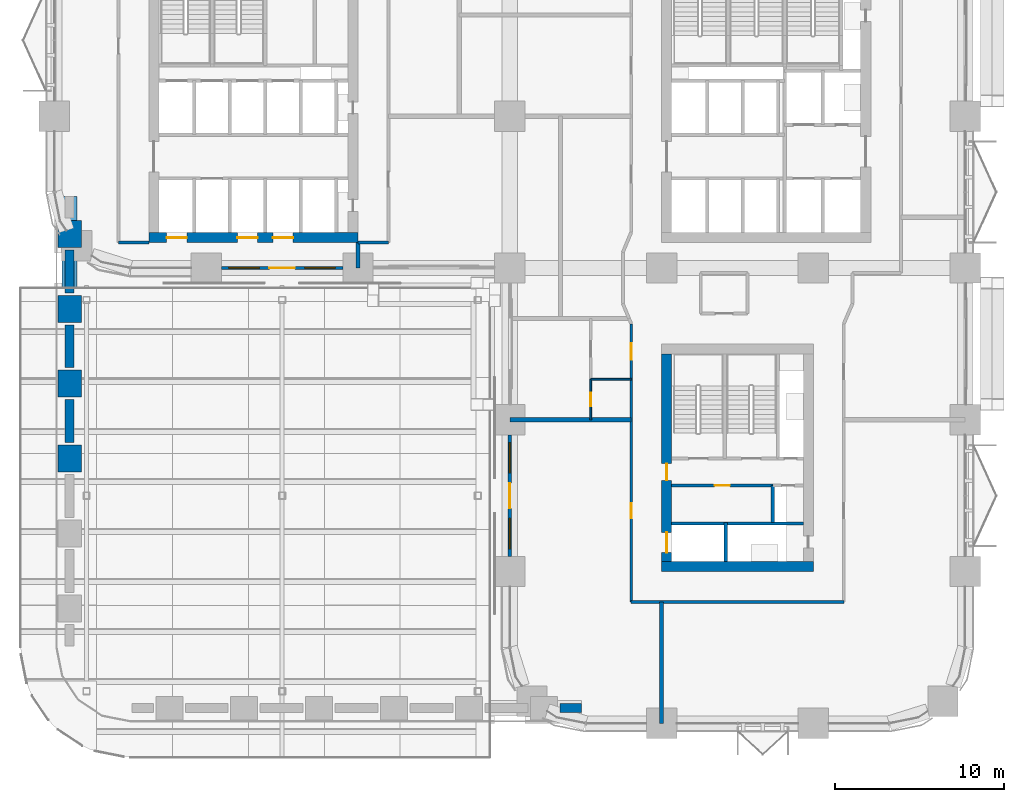
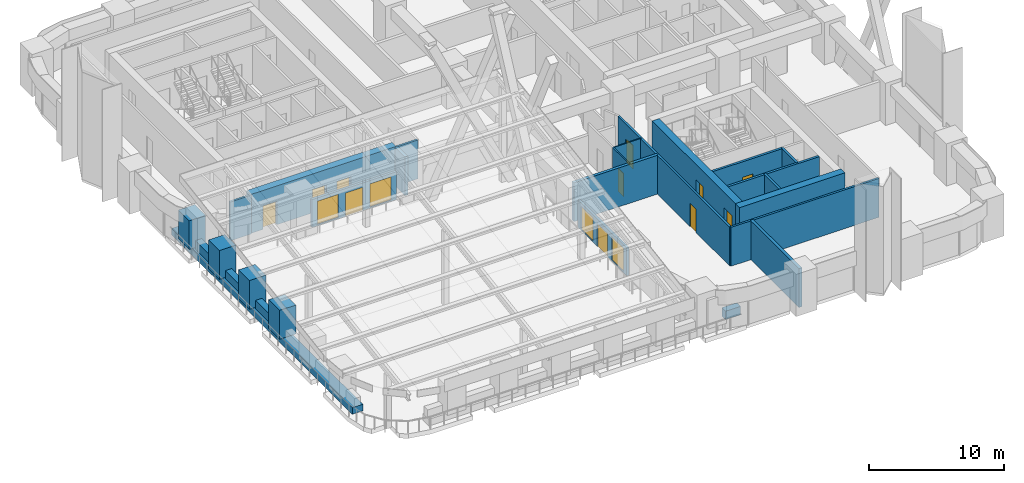
# One storey, part 13 of 22: 27 walls, 11 doors, 4 windows, 15 openings.
"""IFC4 building model written with IfcOpenShell, lengths in metres."""

from ifc_helpers import new_model, si_unit, direction, frame, frame_2d, origin, place, context, subcontext, project, spatial, rectangle, extrude, material, layer, layer_set, type_object, element, fill, save


model = new_model("IFC4")

# Units and contexts
model_context = context("Model", 3, precision=1e-05, world=origin(), true_north=direction((0.0, 1.0)))
body_context = subcontext(model_context, "Body", "Model", "MODEL_VIEW")
ifc_project = project(units=[si_unit("LENGTHUNIT", "METRE"), si_unit("AREAUNIT", "SQUARE_METRE"), si_unit("VOLUMEUNIT", "CUBIC_METRE"), si_unit("PLANEANGLEUNIT", "RADIAN"), si_unit("MASSUNIT", "GRAM", prefix="KILO")], contexts=[model_context])

# Site, building, storey
site_placement = place(None, origin())
site = spatial("IfcSite", under=ifc_project, at=site_placement, CompositionType="ELEMENT")
building_placement = place(site_placement, origin())
building = spatial("IfcBuilding", under=site, at=building_placement, Name="Tessera Arch", CompositionType="ELEMENT")
storey_placement = place(building_placement, frame((0.0, 0.0, 77.800048828125)))
storey = spatial("IfcBuildingStorey", under=building, at=storey_placement, Name="L17", CompositionType="ELEMENT", Elevation=77.800048828125)

# Wall, opening, door
ifc_material_1 = material(Name="Gypsum board on steel stud", Category="steel")
ifc_layer_1 = layer(ifc_material_1, 0.125)
ifc_layer_set_1 = layer_set([ifc_layer_1], Name="Core partition 125 EI 60")
wall_type_1 = type_object("IfcWallType", Name="Core partition 125 EI 60", PredefinedType="PARTITIONING", material=ifc_layer_set_1)
wall_1_placement = place(storey_placement, frame((36.60009765625, 14.10009765625, 0.0), z_axis=(0.0, 0.0, 1.0), x_axis=(1.0, 0.0, 0.0)))
wall_1 = element("IfcWall", 1, at=wall_1_placement, inside=storey, type_object=wall_type_1, Name="L17 C3 partition wall 8", PredefinedType="PARTITIONING", context=body_context, shape_type="SweptSolid", body=[
    extrude(rectangle(XDim=6.0, YDim=0.199951171875, at=frame_2d((3.0, 0.0))), origin(), (0.0, 0.0, 1.0), 3.5),
])
opening_1_placement = place(wall_1_placement, frame((2.550048828125, 0.0, 0.0)))
opening_1 = element("IfcOpeningElement", 2, at=opening_1_placement, cuts=wall_1, Name="Opening L17-C40", PredefinedType="OPENING", context=body_context, shape_type="SweptSolid", body=[
    extrude(rectangle(XDim=0.89990234375, YDim=2.10009765625, at=frame_2d((0.449951171875, 1.050048828125))), frame((0.0, 0.10986328125, 0.0), z_axis=(0.0, -1.0, 0.0), x_axis=(1.0, 0.0, 0.0)), (0.0, 0.0, 1.0), 0.219970703125),
])
ifc_material_2 = material(Name="Steel door leaf", Category="steel")
door_type_1 = type_object("IfcDoorType", Name="Store door FD30S 900 x 2100", OperationType="SINGLE_SWING_LEFT", PredefinedType="DOOR", material=ifc_material_2)
door_1_placement = place(opening_1_placement, origin())
door_1 = element("IfcDoor", 3, at=door_1_placement, inside=storey, type_object=door_type_1, Name="L17 C3 door 8 C40 type D09", OperationType="SINGLE_SWING_LEFT", OverallHeight=2.10009765625, OverallWidth=0.89990234375, PredefinedType="DOOR", context=body_context, shape_type="SweptSolid", body=[
    extrude(rectangle(XDim=0.89990234375, YDim=2.10009765625, at=frame_2d((0.449951171875, 1.050048828125))), frame((0.0, 0.02490234375, 0.0), z_axis=(0.0, -1.0, 0.0), x_axis=(1.0, 0.0, 0.0)), (0.0, 0.0, 1.0), 0.050048828125),
])
fill(opening_1, door_1)

# Wall, openings, doors
ifc_material_3 = material(Name="Concrete C70/85", Category="concrete")
ifc_layer_2 = layer(ifc_material_3, 0.60009765625)
ifc_layer_set_2 = layer_set([ifc_layer_2], Name="Core shell wall 600 C70-85")
wall_type_2 = type_object("IfcWallType", Name="Core shell wall 600 C70-85", PredefinedType="SHEAR", material=ifc_layer_set_2)
wall_2_placement = place(storey_placement, frame((5.60009765625, 28.800048828125, 0.0), z_axis=(0.0, 0.0, 1.0), x_axis=(1.0, 0.0, 0.0)))
wall_2 = element("IfcWall", 4, at=wall_2_placement, inside=storey, type_object=wall_type_2, Name="L17 C2 core wall S", PredefinedType="SHEAR", context=body_context, shape_type="SweptSolid", body=[
    extrude(rectangle(XDim=12.39990234375, YDim=0.60009765625, at=frame_2d((6.199951171875, 0.0))), origin(), (0.0, 0.0, 1.0), 3.5),
])
opening_2_placement = place(wall_2_placement, frame((1.050048828125, 0.0, 0.0)))
opening_2 = element("IfcOpeningElement", 5, at=opening_2_placement, cuts=wall_2, Name="Opening L17-C15", PredefinedType="OPENING", context=body_context, shape_type="SweptSolid", body=[
    extrude(rectangle(XDim=1.199951171875, YDim=2.10009765625, at=frame_2d((0.60009765625, 1.050048828125))), frame((0.0, 0.31005859375, 0.0), z_axis=(0.0, -1.0, 0.0), x_axis=(1.0, 0.0, 0.0)), (0.0, 0.0, 1.0), 0.6201171875),
])
opening_3_placement = place(wall_2_placement, frame((5.25, 0.0, 0.0)))
opening_3 = element("IfcOpeningElement", 6, at=opening_3_placement, cuts=wall_2, Name="Opening L17-C17", PredefinedType="OPENING", context=body_context, shape_type="SweptSolid", body=[
    extrude(rectangle(XDim=1.199951171875, YDim=2.10009765625, at=frame_2d((0.60009765625, 1.050048828125))), frame((0.0, 0.31005859375, 0.0), z_axis=(0.0, -1.0, 0.0), x_axis=(1.0, 0.0, 0.0)), (0.0, 0.0, 1.0), 0.6201171875),
])
opening_4_placement = place(wall_2_placement, frame((7.35009765625, 0.0, 0.0)))
opening_4 = element("IfcOpeningElement", 7, at=opening_4_placement, cuts=wall_2, Name="Opening L17-C18", PredefinedType="OPENING", context=body_context, shape_type="SweptSolid", body=[
    extrude(rectangle(XDim=1.199951171875, YDim=2.10009765625, at=frame_2d((0.60009765625, 1.050048828125))), frame((0.0, 0.31005859375, 0.0), z_axis=(0.0, -1.0, 0.0), x_axis=(1.0, 0.0, 0.0)), (0.0, 0.0, 1.0), 0.6201171875),
])
ifc_material_4 = material(Name="Stainless steel AISI 304", Category="steel")
door_type_2 = type_object("IfcDoorType", Name="Sliding landing door 1200 x 2100", OperationType="SLIDING_TO_LEFT", PredefinedType="DOOR", material=ifc_material_4)
door_2_placement = place(opening_2_placement, origin())
door_2 = element("IfcDoor", 8, at=door_2_placement, inside=storey, type_object=door_type_2, Name="L17 LR1 lift landing door C15 type LD", OperationType="SLIDING_TO_LEFT", OverallHeight=2.10009765625, OverallWidth=1.199951171875, PredefinedType="DOOR", context=body_context, shape_type="SweptSolid", body=[
    extrude(rectangle(XDim=1.199951171875, YDim=2.10009765625, at=frame_2d((0.60009765625, 1.050048828125))), frame((0.0, 0.02490234375, 0.0), z_axis=(0.0, -1.0, 0.0), x_axis=(1.0, 0.0, 0.0)), (0.0, 0.0, 1.0), 0.050048828125),
])
fill(opening_2, door_2)
door_3_placement = place(opening_3_placement, origin())
door_3 = element("IfcDoor", 9, at=door_3_placement, inside=storey, type_object=door_type_2, Name="L17 LR3 lift landing door C17 type LD", OperationType="SLIDING_TO_LEFT", OverallHeight=2.10009765625, OverallWidth=1.199951171875, PredefinedType="DOOR", context=body_context, shape_type="SweptSolid", body=[
    extrude(rectangle(XDim=1.199951171875, YDim=2.10009765625, at=frame_2d((0.60009765625, 1.050048828125))), frame((0.0, 0.02490234375, 0.0), z_axis=(0.0, -1.0, 0.0), x_axis=(1.0, 0.0, 0.0)), (0.0, 0.0, 1.0), 0.050048828125),
])
fill(opening_3, door_3)
door_4_placement = place(opening_4_placement, origin())
door_4 = element("IfcDoor", 10, at=door_4_placement, inside=storey, type_object=door_type_2, Name="L17 LR4 lift landing door C18 type LD", OperationType="SLIDING_TO_LEFT", OverallHeight=2.10009765625, OverallWidth=1.199951171875, PredefinedType="DOOR", context=body_context, shape_type="SweptSolid", body=[
    extrude(rectangle(XDim=1.199951171875, YDim=2.10009765625, at=frame_2d((0.60009765625, 1.050048828125))), frame((0.0, 0.02490234375, 0.0), z_axis=(0.0, -1.0, 0.0), x_axis=(1.0, 0.0, 0.0)), (0.0, 0.0, 1.0), 0.050048828125),
])
fill(opening_4, door_4)

# Wall
wall_3_placement = place(storey_placement, frame((36.0, 9.300048828125, 0.0), z_axis=(0.0, 0.0, 1.0), x_axis=(1.0, 0.0, 0.0)))
element("IfcWall", 11, at=wall_3_placement, inside=storey, type_object=wall_type_2, Name="L17 C3 core wall S", PredefinedType="SHEAR", context=body_context, shape_type="SweptSolid", body=[
    extrude(rectangle(XDim=9.0, YDim=0.60009765625, at=frame_2d((4.5, 0.0))), origin(), (0.0, 0.0, 1.0), 3.5),
])

# Wall, openings, doors
wall_4_placement = place(storey_placement, frame((36.300048828125, 9.60009765625, 0.0), z_axis=(0.0, 0.0, 1.0), x_axis=(0.0, 1.0, 0.0)))
wall_4 = element("IfcWall", 12, at=wall_4_placement, inside=storey, type_object=wall_type_2, Name="L17 C3 core wall W", PredefinedType="SHEAR", context=body_context, shape_type="SweptSolid", body=[
    extrude(rectangle(XDim=12.2998046875, YDim=0.60009765625, at=frame_2d((6.14990234375, 0.0))), origin(), (0.0, 0.0, 1.0), 3.5),
])
opening_5_placement = place(wall_4_placement, frame((0.52490234375, 0.0, 0.0)))
opening_5 = element("IfcOpeningElement", 13, at=opening_5_placement, cuts=wall_4, Name="Opening L17-C33", PredefinedType="OPENING", context=body_context, shape_type="SweptSolid", body=[
    extrude(rectangle(XDim=1.199951171875, YDim=2.10009765625, at=frame_2d((0.60009765625, 1.050048828125))), frame((0.0, 0.31005859375, 0.0), z_axis=(0.0, -1.0, 0.0), x_axis=(1.0, 0.0, 0.0)), (0.0, 0.0, 1.0), 0.6201171875),
])
opening_6_placement = place(wall_4_placement, frame((4.800048828125, 0.0, 0.0)))
opening_6 = element("IfcOpeningElement", 14, at=opening_6_placement, cuts=wall_4, Name="Opening L17-C39", PredefinedType="OPENING", context=body_context, shape_type="SweptSolid", body=[
    extrude(rectangle(XDim=1.0, YDim=2.10009765625, at=frame_2d((0.5, 1.050048828125))), frame((0.0, 0.31005859375, 0.0), z_axis=(0.0, -1.0, 0.0), x_axis=(1.0, 0.0, 0.0)), (0.0, 0.0, 1.0), 0.6201171875),
])
ifc_material_5 = material(Name="Steel door leaf", Category="steel")
door_type_3 = type_object("IfcDoorType", Name="Corridor door FD60 1000 x 2100", OperationType="SINGLE_SWING_LEFT", PredefinedType="DOOR", material=ifc_material_5)
door_5_placement = place(opening_6_placement, origin())
door_5 = element("IfcDoor", 15, at=door_5_placement, inside=storey, type_object=door_type_3, Name="L17 C3 door 7 C39 type D12", OperationType="SINGLE_SWING_LEFT", OverallHeight=2.10009765625, OverallWidth=1.0, PredefinedType="DOOR", context=body_context, shape_type="SweptSolid", body=[
    extrude(rectangle(XDim=1.0, YDim=2.10009765625, at=frame_2d((0.5, 1.050048828125))), frame((0.0, 0.02490234375, 0.0), z_axis=(0.0, -1.0, 0.0), x_axis=(1.0, 0.0, 0.0)), (0.0, 0.0, 1.0), 0.050048828125),
])
fill(opening_6, door_5)
door_6_placement = place(opening_5_placement, origin())
door_6 = element("IfcDoor", 16, at=door_6_placement, inside=storey, type_object=door_type_2, Name="L17 SV1 lift landing door C33 type LD", OperationType="SLIDING_TO_LEFT", OverallHeight=2.10009765625, OverallWidth=1.199951171875, PredefinedType="DOOR", context=body_context, shape_type="SweptSolid", body=[
    extrude(rectangle(XDim=1.199951171875, YDim=2.10009765625, at=frame_2d((0.60009765625, 1.050048828125))), frame((0.0, 0.02490234375, 0.0), z_axis=(0.0, -1.0, 0.0), x_axis=(1.0, 0.0, 0.0)), (0.0, 0.0, 1.0), 0.050048828125),
])
fill(opening_5, door_6)

# Walls
ifc_material_6 = material(Name="Gypsum board on deep steel stud with mineral wool", Category="steel")
ifc_layer_3 = layer(ifc_material_6, 0.175048828125)
ifc_layer_set_3 = layer_set([ifc_layer_3], Name="Corridor wall 175 EI 60")
wall_type_3 = type_object("IfcWallType", Name="Corridor wall 175 EI 60", PredefinedType="PARTITIONING", material=ifc_layer_set_3)
wall_5_placement = place(storey_placement, frame((34.199951171875, 7.199951171875, 0.0), z_axis=(0.0, 0.0, 1.0), x_axis=(1.0, 0.0, 0.0)))
element("IfcWall", 17, at=wall_5_placement, inside=storey, type_object=wall_type_3, Name="L17 partition 1", PredefinedType="PARTITIONING", context=body_context, shape_type="SweptSolid", body=[
    extrude(rectangle(XDim=12.60009765625, YDim=0.175048828125, at=frame_2d((6.300048828125, 0.0))), origin(), (0.0, 0.0, 1.0), 3.5),
])
for number, where, z_axis, x_axis, name in (
    (18, (3.800048828125, 28.5, 0.0), (0.0, 0.0, 1.0), (1.0, 0.0, 0.0), "L17 partition 5"),
    (19, (18.0, 28.5, 0.0), (0.0, 0.0, 1.0), (1.0, 0.0, 0.0), "L17 partition 6"),
):
    element("IfcWall", number, at=place(storey_placement, frame(where, z_axis=z_axis, x_axis=x_axis)), inside=storey, type_object=wall_type_3, Name=name, PredefinedType="PARTITIONING", context=body_context, shape_type="SweptSolid", body=[
        extrude(rectangle(XDim=1.800048828125, YDim=0.175048828125, at=frame_2d((0.89990234375, 0.0))), origin(), (0.0, 0.0, 1.0), 3.5),
    ])

# Wall, openings, doors
wall_6_placement = place(storey_placement, frame((34.199951171875, 7.199951171875, 0.0), z_axis=(0.0, 0.0, 1.0), x_axis=(0.0, 1.0, 0.0)))
wall_6 = element("IfcWall", 20, at=wall_6_placement, inside=storey, type_object=wall_type_3, Name="L17 partition 12", PredefinedType="PARTITIONING", context=body_context, shape_type="SweptSolid", body=[
    extrude(rectangle(XDim=16.489990234375, YDim=0.175048828125, at=frame_2d((8.2451171875, 0.0))), origin(), (0.0, 0.0, 1.0), 3.5),
])
opening_7_placement = place(wall_6_placement, frame((4.949951171875, 0.0, 0.0)))
opening_7 = element("IfcOpeningElement", 21, at=opening_7_placement, cuts=wall_6, Name="Opening L17-D002", PredefinedType="OPENING", context=body_context, shape_type="SweptSolid", body=[
    extrude(rectangle(XDim=0.89990234375, YDim=2.10009765625, at=frame_2d((0.449951171875, 1.050048828125))), frame((0.0, 0.097412109375, 0.0), z_axis=(0.0, -1.0, 0.0), x_axis=(1.0, 0.0, 0.0)), (0.0, 0.0, 1.0), 0.195068359375),
])
opening_8_placement = place(wall_6_placement, frame((14.344970703125, 0.0, 0.0)))
opening_8 = element("IfcOpeningElement", 22, at=opening_8_placement, cuts=wall_6, Name="Opening L17-D003", PredefinedType="OPENING", context=body_context, shape_type="SweptSolid", body=[
    extrude(rectangle(XDim=1.0, YDim=2.10009765625, at=frame_2d((0.5, 1.050048828125))), frame((0.0, 0.097412109375, 0.0), z_axis=(0.0, -1.0, 0.0), x_axis=(1.0, 0.0, 0.0)), (0.0, 0.0, 1.0), 0.195068359375),
])
ifc_material_7 = material(Name="Fire-rated door leaf")
door_type_4 = type_object("IfcDoorType", Name="Entrance door FD30S 1000 x 2100", OperationType="SINGLE_SWING_LEFT", PredefinedType="DOOR", material=ifc_material_7)
door_7_placement = place(opening_8_placement, origin())
door_7 = element("IfcDoor", 23, at=door_7_placement, inside=storey, type_object=door_type_4, Name="L17 door D003 type D03", OperationType="SINGLE_SWING_LEFT", OverallHeight=2.10009765625, OverallWidth=1.0, PredefinedType="DOOR", context=body_context, shape_type="SweptSolid", body=[
    extrude(rectangle(XDim=1.0, YDim=2.10009765625, at=frame_2d((0.5, 1.050048828125))), frame((0.0, 0.02490234375, 0.0), z_axis=(0.0, -1.0, 0.0), x_axis=(1.0, 0.0, 0.0)), (0.0, 0.0, 1.0), 0.050048828125),
])
fill(opening_8, door_7)
ifc_material_8 = material(Name="Timber door leaf", Category="wood")
door_type_5 = type_object("IfcDoorType", Name="Room door 900 x 2100", OperationType="SINGLE_SWING_LEFT", PredefinedType="DOOR", material=ifc_material_8)
door_8_placement = place(opening_7_placement, origin())
door_8 = element("IfcDoor", 24, at=door_8_placement, inside=storey, type_object=door_type_5, Name="L17 door D002 type D01", OperationType="SINGLE_SWING_RIGHT", OverallHeight=2.10009765625, OverallWidth=0.89990234375, PredefinedType="DOOR", context=body_context, shape_type="SweptSolid", body=[
    extrude(rectangle(XDim=0.89990234375, YDim=2.10009765625, at=frame_2d((0.449951171875, 1.050048828125))), frame((0.0, 0.02490234375, 0.0), z_axis=(0.0, -1.0, 0.0), x_axis=(1.0, 0.0, 0.0)), (0.0, 0.0, 1.0), 0.050048828125),
])
fill(opening_7, door_8)

# Wall, openings, windows, door
ifc_material_9 = material(Name="Aluminium cladding pale metal anodised", Category="aluminium")
ifc_layer_4 = layer(ifc_material_9, 0.199951171875)
ifc_layer_set_4 = layer_set([ifc_layer_4], Name="Envelope wall pale metal")
wall_type_4 = type_object("IfcWallType", Name="Envelope wall pale metal", PredefinedType="SOLIDWALL", material=ifc_layer_set_4)
wall_7_placement = place(storey_placement, frame((9.89990234375, 27.0, 0.0), z_axis=(0.0, 0.0, 1.0), x_axis=(1.0, 0.0, 0.0)))
wall_7 = element("IfcWall", 25, at=wall_7_placement, inside=storey, type_object=wall_type_4, Name="Door bay wall S27.0/1 L17", PredefinedType="SOLIDWALL", context=body_context, shape_type="SweptSolid", body=[
    extrude(rectangle(XDim=7.2001953125, YDim=0.199951171875, at=frame_2d((3.60009765625, 0.0))), origin(), (0.0, 0.0, 1.0), 2.5),
])
opening_9_placement = place(wall_7_placement, frame((2.85009765625, 0.0, 0.0)))
opening_9 = element("IfcOpeningElement", 26, at=opening_9_placement, cuts=wall_7, Name="Opening L17-X01", PredefinedType="OPENING", context=body_context, shape_type="SweptSolid", body=[
    extrude(rectangle(XDim=1.5, YDim=2.10009765625, at=frame_2d((0.75, 1.050048828125))), frame((0.0, 0.10986328125, 0.0), z_axis=(0.0, -1.0, 0.0), x_axis=(1.0, 0.0, 0.0)), (0.0, 0.0, 1.0), 0.219970703125),
])
opening_10_placement = place(wall_7_placement, frame((0.449951171875, 0.0, 0.10009765625)))
opening_10 = element("IfcOpeningElement", 27, at=opening_10_placement, cuts=wall_7, Name="Opening L17-SL09", PredefinedType="OPENING", context=body_context, shape_type="SweptSolid", body=[
    extrude(rectangle(XDim=1.800048828125, YDim=2.10009765625, at=frame_2d((0.89990234375, 1.050048828125))), frame((0.0, 0.10986328125, 0.0), z_axis=(0.0, -1.0, 0.0), x_axis=(1.0, 0.0, 0.0)), (0.0, 0.0, 1.0), 0.219970703125),
])
opening_11_placement = place(wall_7_placement, frame((4.949951171875, 0.0, 0.10009765625)))
opening_11 = element("IfcOpeningElement", 28, at=opening_11_placement, cuts=wall_7, Name="Opening L17-SL10", PredefinedType="OPENING", context=body_context, shape_type="SweptSolid", body=[
    extrude(rectangle(XDim=1.800048828125, YDim=2.10009765625, at=frame_2d((0.89990234375, 1.050048828125))), frame((0.0, 0.10986328125, 0.0), z_axis=(0.0, -1.0, 0.0), x_axis=(1.0, 0.0, 0.0)), (0.0, 0.0, 1.0), 0.219970703125),
])
ifc_material_10 = material(Name="Clear low-e glass in aluminium frame", Category="aluminium")
window_type = type_object("IfcWindowType", Name="Sidelight fixed clear glass", PartitioningType="SINGLE_PANEL", PredefinedType="WINDOW", material=ifc_material_10)
window_1_placement = place(opening_10_placement, origin())
window_1 = element("IfcWindow", 29, at=window_1_placement, inside=storey, type_object=window_type, Name="Sidelight L17-X-S27.0/1-1", OverallHeight=2.10009765625, OverallWidth=1.800048828125, PartitioningType="SINGLE_PANEL", PredefinedType="WINDOW", context=body_context, shape_type="SweptSolid", body=[
    extrude(rectangle(XDim=1.800048828125, YDim=2.10009765625, at=frame_2d((0.89990234375, 1.050048828125))), frame((0.0, 0.030029296875, 0.0), z_axis=(0.0, -1.0, 0.0), x_axis=(1.0, 0.0, 0.0)), (0.0, 0.0, 1.0), 0.06005859375),
])
fill(opening_10, window_1)
window_2_placement = place(opening_11_placement, origin())
window_2 = element("IfcWindow", 30, at=window_2_placement, inside=storey, type_object=window_type, Name="Sidelight L17-X-S27.0/1-1", OverallHeight=2.10009765625, OverallWidth=1.800048828125, PartitioningType="SINGLE_PANEL", PredefinedType="WINDOW", context=body_context, shape_type="SweptSolid", body=[
    extrude(rectangle(XDim=1.800048828125, YDim=2.10009765625, at=frame_2d((0.89990234375, 1.050048828125))), frame((0.0, 0.030029296875, 0.0), z_axis=(0.0, -1.0, 0.0), x_axis=(1.0, 0.0, 0.0)), (0.0, 0.0, 1.0), 0.06005859375),
])
fill(opening_11, window_2)
ifc_material_11 = material(Name="Aluminium frame and clear glass", Category="aluminium")
door_type_6 = type_object("IfcDoorType", Name="Terrace door glazed double leaf", OperationType="DOUBLE_DOOR_SINGLE_SWING", PredefinedType="DOOR", material=ifc_material_11)
door_9_placement = place(opening_9_placement, origin())
door_9 = element("IfcDoor", 31, at=door_9_placement, inside=storey, type_object=door_type_6, Name="Door L17-X-S27.0/1-1 X01", OperationType="DOUBLE_DOOR_SINGLE_SWING", OverallHeight=2.10009765625, OverallWidth=1.5, PredefinedType="DOOR", context=body_context, shape_type="SweptSolid", body=[
    extrude(rectangle(XDim=1.5, YDim=2.10009765625, at=frame_2d((0.75, 1.050048828125))), frame((0.0, 0.02490234375, 0.0), z_axis=(0.0, -1.0, 0.0), x_axis=(1.0, 0.0, 0.0)), (0.0, 0.0, 1.0), 0.050048828125),
])
fill(opening_9, door_9)

wall_8_placement = place(storey_placement, frame((27.0, 17.10009765625, 0.0), z_axis=(0.0, 0.0, 1.0), x_axis=(0.0, -1.0, 0.0)))
wall_8 = element("IfcWall", 32, at=wall_8_placement, inside=storey, type_object=wall_type_4, Name="Door bay wall W27.0/1 L17", PredefinedType="SOLIDWALL", context=body_context, shape_type="SweptSolid", body=[
    extrude(rectangle(XDim=7.2001953125, YDim=0.199951171875, at=frame_2d((3.60009765625, 0.0))), origin(), (0.0, 0.0, 1.0), 2.5),
])
opening_12_placement = place(wall_8_placement, frame((2.85009765625, 0.0, 0.0)))
opening_12 = element("IfcOpeningElement", 33, at=opening_12_placement, cuts=wall_8, Name="Opening L17-X02", PredefinedType="OPENING", context=body_context, shape_type="SweptSolid", body=[
    extrude(rectangle(XDim=1.5, YDim=2.10009765625, at=frame_2d((0.75, 1.050048828125))), frame((0.0, 0.10986328125, 0.0), z_axis=(0.0, -1.0, 0.0), x_axis=(1.0, 0.0, 0.0)), (0.0, 0.0, 1.0), 0.219970703125),
])
opening_13_placement = place(wall_8_placement, frame((0.449951171875, 0.0, 0.10009765625)))
opening_13 = element("IfcOpeningElement", 34, at=opening_13_placement, cuts=wall_8, Name="Opening L17-SL11", PredefinedType="OPENING", context=body_context, shape_type="SweptSolid", body=[
    extrude(rectangle(XDim=1.800048828125, YDim=2.10009765625, at=frame_2d((0.89990234375, 1.050048828125))), frame((0.0, 0.10986328125, 0.0), z_axis=(0.0, -1.0, 0.0), x_axis=(1.0, 0.0, 0.0)), (0.0, 0.0, 1.0), 0.219970703125),
])
opening_14_placement = place(wall_8_placement, frame((4.949951171875, 0.0, 0.10009765625)))
opening_14 = element("IfcOpeningElement", 35, at=opening_14_placement, cuts=wall_8, Name="Opening L17-SL12", PredefinedType="OPENING", context=body_context, shape_type="SweptSolid", body=[
    extrude(rectangle(XDim=1.800048828125, YDim=2.10009765625, at=frame_2d((0.89990234375, 1.050048828125))), frame((0.0, 0.10986328125, 0.0), z_axis=(0.0, -1.0, 0.0), x_axis=(1.0, 0.0, 0.0)), (0.0, 0.0, 1.0), 0.219970703125),
])
window_3_placement = place(opening_13_placement, origin())
window_3 = element("IfcWindow", 36, at=window_3_placement, inside=storey, type_object=window_type, Name="Sidelight L17-X-W27.0/1-1", OverallHeight=2.10009765625, OverallWidth=1.800048828125, PartitioningType="SINGLE_PANEL", PredefinedType="WINDOW", context=body_context, shape_type="SweptSolid", body=[
    extrude(rectangle(XDim=1.800048828125, YDim=2.10009765625, at=frame_2d((0.89990234375, 1.050048828125))), frame((0.0, 0.030029296875, 0.0), z_axis=(0.0, -1.0, 0.0), x_axis=(1.0, 0.0, 0.0)), (0.0, 0.0, 1.0), 0.06005859375),
])
fill(opening_13, window_3)
window_4_placement = place(opening_14_placement, origin())
window_4 = element("IfcWindow", 37, at=window_4_placement, inside=storey, type_object=window_type, Name="Sidelight L17-X-W27.0/1-1", OverallHeight=2.10009765625, OverallWidth=1.800048828125, PartitioningType="SINGLE_PANEL", PredefinedType="WINDOW", context=body_context, shape_type="SweptSolid", body=[
    extrude(rectangle(XDim=1.800048828125, YDim=2.10009765625, at=frame_2d((0.89990234375, 1.050048828125))), frame((0.0, 0.030029296875, 0.0), z_axis=(0.0, -1.0, 0.0), x_axis=(1.0, 0.0, 0.0)), (0.0, 0.0, 1.0), 0.06005859375),
])
fill(opening_14, window_4)
door_10_placement = place(opening_12_placement, origin())
door_10 = element("IfcDoor", 38, at=door_10_placement, inside=storey, type_object=door_type_6, Name="Door L17-X-W27.0/1-1 X02", OperationType="DOUBLE_DOOR_SINGLE_SWING", OverallHeight=2.10009765625, OverallWidth=1.5, PredefinedType="DOOR", context=body_context, shape_type="SweptSolid", body=[
    extrude(rectangle(XDim=1.5, YDim=2.10009765625, at=frame_2d((0.75, 1.050048828125))), frame((0.0, 0.02490234375, 0.0), z_axis=(0.0, -1.0, 0.0), x_axis=(1.0, 0.0, 0.0)), (0.0, 0.0, 1.0), 0.050048828125),
])
fill(opening_12, door_10)

# Walls
ifc_material_12 = material(Name="Double gypsum board on twin steel stud with acoustic mineral wool", Category="steel")
ifc_layer_5 = layer(ifc_material_12, 0.25)
ifc_layer_set_5 = layer_set([ifc_layer_5], Name="Party wall 250 EI 60")
wall_type_5 = type_object("IfcWallType", Name="Party wall 250 EI 60", PredefinedType="PARTITIONING", material=ifc_layer_set_5)
wall_9_placement = place(storey_placement, frame((27.0, 18.0, 0.0), z_axis=(0.0, 0.0, 1.0), x_axis=(1.0, 0.0, 0.0)))
element("IfcWall", 39, at=wall_9_placement, inside=storey, type_object=wall_type_5, Name="L17 partition 20", PredefinedType="PARTITIONING", context=body_context, shape_type="SweptSolid", body=[
    extrude(rectangle(XDim=7.199951171875, YDim=0.25, at=frame_2d((3.60009765625, 0.0))), origin(), (0.0, 0.0, 1.0), 3.5),
])
wall_10_placement = place(storey_placement, frame((18.0, 27.0, 0.0), z_axis=(0.0, 0.0, 1.0), x_axis=(0.0, 1.0, 0.0)))
element("IfcWall", 40, at=wall_10_placement, inside=storey, type_object=wall_type_5, Name="L17 partition 27", PredefinedType="PARTITIONING", context=body_context, shape_type="SweptSolid", body=[
    extrude(rectangle(XDim=1.5, YDim=0.25, at=frame_2d((0.75, 0.0))), origin(), (0.0, 0.0, 1.0), 3.5),
])
wall_11_placement = place(storey_placement, frame((36.0, 0.0, 0.0), z_axis=(0.0, 0.0, 1.0), x_axis=(0.0, 1.0, 0.0)))
element("IfcWall", 41, at=wall_11_placement, inside=storey, type_object=wall_type_5, Name="L17 partition 31", PredefinedType="PARTITIONING", context=body_context, shape_type="SweptSolid", body=[
    extrude(rectangle(XDim=7.199951171875, YDim=0.25, at=frame_2d((3.60009765625, 0.0))), origin(), (0.0, 0.0, 1.0), 3.5),
])
ifc_material_13 = material(Name="Precast concrete C40/50", Category="concrete")
ifc_layer_6 = layer(ifc_material_13, 1.39990234375)
ifc_layer_set_6 = layer_set([ifc_layer_6], Name="Planter bed 1400 wide")
wall_type_6 = type_object("IfcWallType", Name="Planter bed 1400 wide", PredefinedType="SOLIDWALL", material=ifc_layer_set_6)
for number, where, z_axis, x_axis, name in (
    (42, (0.900146484375, 14.89453125, 0.599853515625), (0.0, 0.0, 1.0), (0.0, 1.0, 0.0), "Tree planting on bed terrace bed 1-2 3"),
    (43, (0.900146484375, 19.337158203125, 0.599853515625), (0.0, 0.0, 1.0), (0.0, 1.0, 0.0), "Tree planting on bed terrace bed 1-2 4"),
    (44, (0.900146484375, 23.77978515625, 0.599853515625), (0.0, 0.0, 1.0), (-0.00015260186, 0.999999988356, 0.0), "Tree planting on bed terrace bed 1-2 5"),
):
    element("IfcWall", number, at=place(storey_placement, frame(where, z_axis=z_axis, x_axis=x_axis)), inside=storey, type_object=wall_type_6, Name=name, PredefinedType="SOLIDWALL", context=body_context, shape_type="SweptSolid", body=[
        extrude(rectangle(XDim=1.599853515625, YDim=1.39990234375, at=frame_2d((0.7998046875, 0.0))), origin(), (0.0, 0.0, 1.0), 2.60009765625),
    ])
wall_12_placement = place(storey_placement, frame((0.89990234375, 28.222412109375, 0.599853515625), z_axis=(0.0, 0.0, 1.0), x_axis=(0.0, 1.0, 0.0)))
element("IfcWall", 45, at=wall_12_placement, inside=storey, type_object=wall_type_6, Name="Tree planting on bed terrace bed 1-2 6", PredefinedType="SOLIDWALL", context=body_context, shape_type="SweptSolid", body=[
    extrude(rectangle(XDim=1.60009765625, YDim=1.39990234375, at=frame_2d((0.800048828125, 0.0))), origin(), (0.0, 0.0, 1.0), 2.60009765625),
])
ifc_material_14 = material(Name="Precast concrete C40/50", Category="concrete")
ifc_layer_7 = layer(ifc_material_14, 0.5400390625)
ifc_layer_set_7 = layer_set([ifc_layer_7], Name="Planter bed 540 wide")
wall_type_7 = type_object("IfcWallType", Name="Planter bed 540 wide", PredefinedType="SOLIDWALL", material=ifc_layer_set_7)
wall_13_placement = place(storey_placement, frame((31.24365234375, 0.89990234375, 0.599853515625), z_axis=(0.0, 0.0, 1.0), x_axis=(-1.0, 0.0, 0.0)))
element("IfcWall", 46, at=wall_13_placement, inside=storey, type_object=wall_type_7, Name="PLANTER shrub mass on terrace bed 1-1 1", PredefinedType="SOLIDWALL", context=body_context, shape_type="SweptSolid", body=[
    extrude(rectangle(XDim=1.271240234375, YDim=0.5400390625, at=frame_2d((0.6357421875, 0.0))), origin(), (0.0, 0.0, 1.0), 0.75),
])
wall_14_placement = place(storey_placement, frame((0.900146484375, 16.64453125, 0.599853515625), z_axis=(0.0, 0.0, 1.0), x_axis=(0.0, 1.0, 0.0)))
element("IfcWall", 47, at=wall_14_placement, inside=storey, type_object=wall_type_7, Name="PLANTER shrub mass on terrace bed 1-2 4", PredefinedType="SOLIDWALL", context=body_context, shape_type="SweptSolid", body=[
    extrude(rectangle(XDim=2.54248046875, YDim=0.5400390625, at=frame_2d((1.271240234375, 0.0))), origin(), (0.0, 0.0, 1.0), 0.75),
])
for number, where, z_axis, x_axis, name in (
    (48, (0.900146484375, 21.087158203125, 0.599853515625), (0.0, 0.0, 1.0), (0.0, 1.0, 0.0), "PLANTER shrub mass on terrace bed 1-2 5"),
    (49, (0.89990234375, 25.52978515625, 0.599853515625), (0.0, 0.0, 1.0), (0.0, 1.0, 0.0), "PLANTER shrub mass on terrace bed 1-2 6"),
):
    element("IfcWall", number, at=place(storey_placement, frame(where, z_axis=z_axis, x_axis=x_axis)), inside=storey, type_object=wall_type_7, Name=name, PredefinedType="SOLIDWALL", context=body_context, shape_type="SweptSolid", body=[
        extrude(rectangle(XDim=2.542724609375, YDim=0.5400390625, at=frame_2d((1.271484375, 0.0))), origin(), (0.0, 0.0, 1.0), 0.75),
    ])
ifc_material_15 = material(Name="Precast concrete C40/50", Category="concrete")
ifc_layer_8 = layer(ifc_material_15, 0.89990234375)
ifc_layer_set_8 = layer_set([ifc_layer_8], Name="Planter bed 900 wide")
wall_type_8 = type_object("IfcWallType", Name="Planter bed 900 wide", PredefinedType="SOLIDWALL", material=ifc_layer_set_8)
wall_15_placement = place(storey_placement, frame((0.900146484375, 4.587890625, 0.0), z_axis=(0.0, 0.0, 1.0), x_axis=(-9.159019e-06, 0.999999999958, 0.0)))
element("IfcWall", 50, at=wall_15_placement, inside=storey, type_object=wall_type_8, Name="PLANTER terrace bed 1-2", PredefinedType="SOLIDWALL", context=body_context, shape_type="SweptSolid", body=[
    extrude(rectangle(XDim=26.65576171875, YDim=0.89990234375, at=frame_2d((13.327880859375, 0.0))), origin(), (0.0, 0.0, 1.0), 0.599853515625),
])
ifc_material_16 = material(Name="Concrete C40/50", Category="concrete")
ifc_layer_9 = layer(ifc_material_16, 0.199951171875)
ifc_layer_set_9 = layer_set([ifc_layer_9], Name="Shaft wall 200 EI 120")
wall_type_9 = type_object("IfcWallType", Name="Shaft wall 200 EI 120", PredefinedType="SOLIDWALL", material=ifc_layer_set_9)
wall_16_placement = place(storey_placement, frame((39.800048828125, 9.60009765625, 0.0), z_axis=(0.0, 0.0, 1.0), x_axis=(0.0, 1.0, 0.0)))
element("IfcWall", 51, at=wall_16_placement, inside=storey, type_object=wall_type_9, Name="L17 C3 shaft wall 3", PredefinedType="SOLIDWALL", context=body_context, shape_type="SweptSolid", body=[
    extrude(rectangle(XDim=2.2998046875, YDim=0.199951171875, at=frame_2d((1.14990234375, 0.0))), origin(), (0.0, 0.0, 1.0), 3.5),
])
wall_17_placement = place(storey_placement, frame((42.60009765625, 11.89990234375, 0.0), z_axis=(0.0, 0.0, 1.0), x_axis=(0.0, 1.0, 0.0)))
element("IfcWall", 52, at=wall_17_placement, inside=storey, type_object=wall_type_9, Name="L17 C3 shaft wall 4", PredefinedType="SOLIDWALL", context=body_context, shape_type="SweptSolid", body=[
    extrude(rectangle(XDim=2.2001953125, YDim=0.199951171875, at=frame_2d((1.10009765625, 0.0))), origin(), (0.0, 0.0, 1.0), 3.5),
])
wall_18_placement = place(storey_placement, frame((36.60009765625, 11.85009765625, 0.0), z_axis=(0.0, 0.0, 1.0), x_axis=(1.0, 0.0, 0.0)))
element("IfcWall", 53, at=wall_18_placement, inside=storey, type_object=wall_type_9, Name="L17 C3 shaft wall 7", PredefinedType="SOLIDWALL", context=body_context, shape_type="SweptSolid", body=[
    extrude(rectangle(XDim=7.7998046875, YDim=0.199951171875, at=frame_2d((3.89990234375, 0.0))), origin(), (0.0, 0.0, 1.0), 3.5),
])
ifc_material_17 = material(Name="Moisture-resistant board on pre-plumbed steel stud", Category="steel")
ifc_layer_10 = layer(ifc_material_17, 0.10009765625)
ifc_layer_set_10 = layer_set([ifc_layer_10], Name="Wet wall 100")
wall_type_10 = type_object("IfcWallType", Name="Wet wall 100", PredefinedType="PARTITIONING", material=ifc_layer_set_10)
wall_19_placement = place(storey_placement, frame((31.800048828125, 20.39990234375, 0.0), z_axis=(0.0, 0.0, 1.0), x_axis=(1.0, 0.0, 0.0)))
element("IfcWall", 54, at=wall_19_placement, inside=storey, type_object=wall_type_10, Name="L17 partition 34", PredefinedType="PARTITIONING", context=body_context, shape_type="SweptSolid", body=[
    extrude(rectangle(XDim=2.39990234375, YDim=0.10009765625, at=frame_2d((1.199951171875, 0.0))), origin(), (0.0, 0.0, 1.0), 3.5),
])

# Wall, opening, door
wall_20_placement = place(storey_placement, frame((31.800048828125, 18.0, 0.0), z_axis=(0.0, 0.0, 1.0), x_axis=(0.0, 1.0, 0.0)))
wall_20 = element("IfcWall", 55, at=wall_20_placement, inside=storey, type_object=wall_type_10, Name="L17 partition 35", PredefinedType="PARTITIONING", context=body_context, shape_type="SweptSolid", body=[
    extrude(rectangle(XDim=2.39990234375, YDim=0.10009765625, at=frame_2d((1.199951171875, 0.0))), origin(), (0.0, 0.0, 1.0), 3.5),
])
opening_15_placement = place(wall_20_placement, frame((0.800048828125, 0.0, 0.0)))
opening_15 = element("IfcOpeningElement", 56, at=opening_15_placement, cuts=wall_20, Name="Opening L17-D005", PredefinedType="OPENING", context=body_context, shape_type="SweptSolid", body=[
    extrude(rectangle(XDim=0.800048828125, YDim=2.10009765625, at=frame_2d((0.39990234375, 1.050048828125))), frame((0.0, 0.06005859375, 0.0), z_axis=(0.0, -1.0, 0.0), x_axis=(1.0, 0.0, 0.0)), (0.0, 0.0, 1.0), 0.1201171875),
])
ifc_material_18 = material(Name="Timber door leaf", Category="wood")
door_type_7 = type_object("IfcDoorType", Name="En-suite door 800 x 2100", OperationType="SINGLE_SWING_LEFT", PredefinedType="DOOR", material=ifc_material_18)
door_11_placement = place(opening_15_placement, origin())
door_11 = element("IfcDoor", 57, at=door_11_placement, inside=storey, type_object=door_type_7, Name="L17 door D005 type D02", OperationType="SINGLE_SWING_LEFT", OverallHeight=2.10009765625, OverallWidth=0.800048828125, PredefinedType="DOOR", context=body_context, shape_type="SweptSolid", body=[
    extrude(rectangle(XDim=0.800048828125, YDim=2.10009765625, at=frame_2d((0.39990234375, 1.050048828125))), frame((0.0, 0.02490234375, 0.0), z_axis=(0.0, -1.0, 0.0), x_axis=(1.0, 0.0, 0.0)), (0.0, 0.0, 1.0), 0.050048828125),
])
fill(opening_15, door_11)

save(model, "model.ifc")
